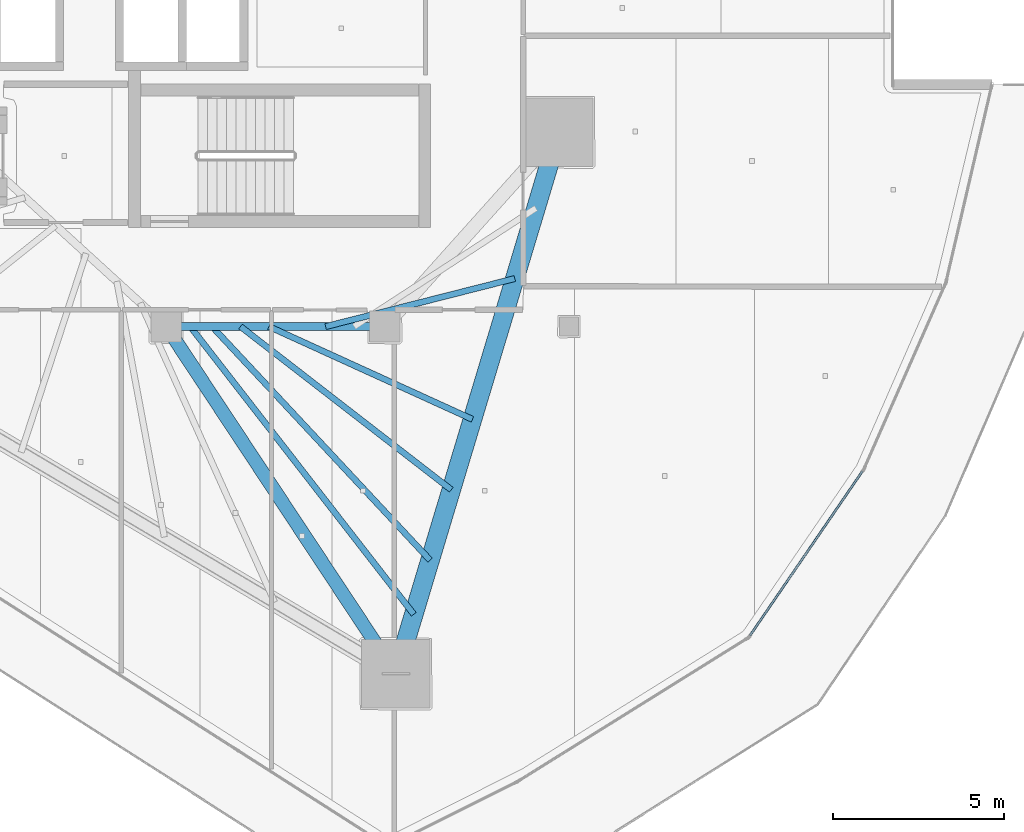
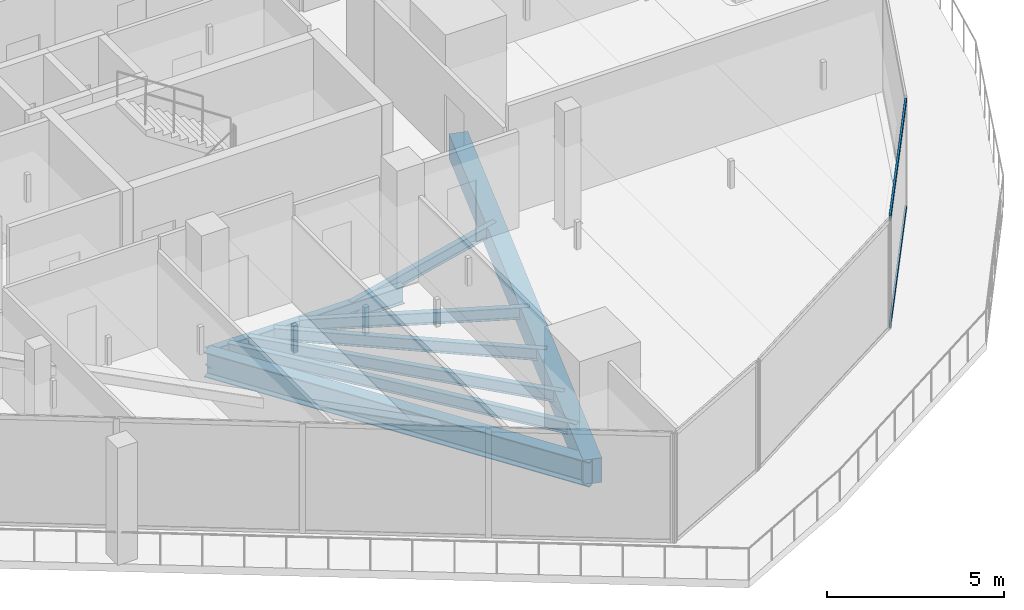
# One storey, part 12 of 43: 8 beams, 2 members, 1 element without a shape of its own.
"""IFC4 building model written with IfcOpenShell, lengths in metres."""

from ifc_helpers import new_model, si_unit, direction, frame, origin, origin_2d, place, context, subcontext, project, spatial, rectangle, hollow_rectangle, i_section, extrude, material, layer, layer_set, material_profile, profile_set, type_object, element, aggregate, save


model = new_model("IFC4")

# Units and contexts
model_context = context("Model", 3, precision=1e-05, world=origin(), true_north=direction((0.0, 1.0)))
body_context = subcontext(model_context, "Body", "Model", "MODEL_VIEW")
ifc_project = project(units=[si_unit("LENGTHUNIT", "METRE"), si_unit("AREAUNIT", "SQUARE_METRE"), si_unit("VOLUMEUNIT", "CUBIC_METRE"), si_unit("PLANEANGLEUNIT", "RADIAN"), si_unit("MASSUNIT", "GRAM", prefix="KILO")], contexts=[model_context])

# Site, building, storey
site_placement = place(None, origin())
site = spatial("IfcSite", under=ifc_project, at=site_placement, CompositionType="ELEMENT")
building_placement = place(site_placement, origin())
building = spatial("IfcBuilding", under=site, at=building_placement, Name="Qorvath Tower", CompositionType="ELEMENT")
storey_placement = place(building_placement, frame((0.0, 0.0, 213.14990234375)))
storey = spatial("IfcBuildingStorey", under=building, at=storey_placement, Name="L49", CompositionType="ELEMENT", Elevation=213.14990234375)

# Beams
ifc_material_1 = material(Name="Steel ASTM A992 Grade 50", Category="steel")
ifc_material_profile_1 = material_profile(ifc_material_1, i_section(OverallWidth=0.39892578125, OverallDepth=0.85498046875, WebThickness=0.018310546875, FlangeThickness=0.029296875, FilletRadius=0.02001953125, at=origin_2d()), Name="W33x201")
ifc_profile_set_1 = profile_set([ifc_material_profile_1], Name="Steel ASTM A992 Grade 50")
beam_type_1 = type_object("IfcBeamType", Name="BM-FG2", PredefinedType="BEAM", material=ifc_profile_set_1)
beam_1_placement = place(storey_placement, frame((-23.60009765625, -11.449951171875, -0.697509765625), z_axis=(0.551500517741, -0.834174549439, 0.0), x_axis=(0.834174549439, 0.551500517741, 0.0)))
element("IfcBeam", 1, at=beam_1_placement, inside=storey, type_object=beam_type_1, Name="Radial Floor Girder CC4-MC3 L49", PredefinedType="BEAM", context=body_context, shape_type="SweptSolid", body=[
    extrude(i_section(OverallWidth=0.39892578125, OverallDepth=0.85498046875, WebThickness=0.018310546875, FlangeThickness=0.029296875, FilletRadius=0.02001953125, at=origin_2d()), origin(), (0.0, 0.0, 1.0), 12.200439453125),
])
ifc_material_2 = material(Name="Steel ASTM A992 Grade 50", Category="steel")
ifc_material_profile_2 = material_profile(ifc_material_2, i_section(OverallWidth=0.22998046875, OverallDepth=0.616943359375, WebThickness=0.01318359375, FlangeThickness=0.022216796875, FilletRadius=0.014892578125, at=origin_2d()), Name="W24x94")
ifc_profile_set_2 = profile_set([ifc_material_profile_2], Name="Steel ASTM A992 Grade 50")
beam_type_2 = type_object("IfcBeamType", Name="BM-FG6", PredefinedType="BEAM", material=ifc_profile_set_2)
beam_2_placement = place(storey_placement, frame((-17.199951171875, -11.449951171875, -0.57861328125), z_axis=(-1.0, 0.0, 0.0), x_axis=(0.0, -1.0, 0.0)))
element("IfcBeam", 2, at=beam_2_placement, inside=storey, type_object=beam_type_2, Name="Core Ring Girder CC3-CC4 L49", PredefinedType="BEAM", context=body_context, shape_type="SweptSolid", body=[
    extrude(i_section(OverallWidth=0.22998046875, OverallDepth=0.616943359375, WebThickness=0.01318359375, FlangeThickness=0.022216796875, FilletRadius=0.014892578125, at=origin_2d()), origin(), (0.0, 0.0, 1.0), 6.400146484375),
])
ifc_material_3 = material(Name="Steel ASTM A992 Grade 50", Category="steel")
ifc_material_profile_3 = material_profile(ifc_material_3, i_section(OverallWidth=0.177978515625, OverallDepth=0.406005859375, WebThickness=0.0078125, FlangeThickness=0.0126953125, FilletRadius=0.010986328125, at=origin_2d()), Name="W16x40")
ifc_profile_set_3 = profile_set([ifc_material_profile_3], Name="Steel ASTM A992 Grade 50")
beam_type_3 = type_object("IfcBeamType", Name="BM-FJ3", PredefinedType="JOIST", material=ifc_profile_set_3)
beam_3_placement = place(storey_placement, frame((-18.927978515625, -11.449951171875, -0.472900390625), z_axis=(0.969231577698, 0.246150662794, 0.0), x_axis=(-0.246150662794, 0.969231577698, 0.0)))
element("IfcBeam", 3, at=beam_3_placement, inside=storey, type_object=beam_type_3, Name="Composite Floor Joist SE2 L49", PredefinedType="JOIST", context=body_context, shape_type="SweptSolid", body=[
    extrude(i_section(OverallWidth=0.177978515625, OverallDepth=0.406005859375, WebThickness=0.0078125, FlangeThickness=0.0126953125, FilletRadius=0.010986328125, at=origin_2d()), origin(), (0.0, 0.0, 1.0), 5.718017578125),
])
beam_4_placement = place(storey_placement, frame((-20.592041015625, -11.449951171875, -0.472900390625), z_axis=(0.909945081179, -0.414728765868, 0.0), x_axis=(0.414728765868, 0.909945081179, 0.0)))
element("IfcBeam", 4, at=beam_4_placement, inside=storey, type_object=beam_type_3, Name="Composite Floor Joist SE4 L49", PredefinedType="JOIST", context=body_context, shape_type="SweptSolid", body=[
    extrude(i_section(OverallWidth=0.177978515625, OverallDepth=0.406005859375, WebThickness=0.0078125, FlangeThickness=0.0126953125, FilletRadius=0.010986328125, at=origin_2d()), origin(), (0.0, 0.0, 1.0), 6.554931640625),
])
beam_5_placement = place(storey_placement, frame((-21.424072265625, -11.449951171875, -0.472900390625), z_axis=(0.790693445503, -0.612212279555, 0.0), x_axis=(0.612212279555, 0.790693445503, 0.0)))
element("IfcBeam", 5, at=beam_5_placement, inside=storey, type_object=beam_type_3, Name="Composite Floor Joist SE5 L49", PredefinedType="JOIST", context=body_context, shape_type="SweptSolid", body=[
    extrude(i_section(OverallWidth=0.177978515625, OverallDepth=0.406005859375, WebThickness=0.0078125, FlangeThickness=0.0126953125, FilletRadius=0.010986328125, at=origin_2d()), origin(), (0.0, 0.0, 1.0), 7.810546875),
])
beam_6_placement = place(storey_placement, frame((-22.256103515625, -11.449951171875, -0.472900390625), z_axis=(0.682249490937, -0.731119437654, 0.0), x_axis=(0.731119437654, 0.682249490937, 0.0)))
element("IfcBeam", 6, at=beam_6_placement, inside=storey, type_object=beam_type_3, Name="Composite Floor Joist SE6 L49", PredefinedType="JOIST", context=body_context, shape_type="SweptSolid", body=[
    extrude(i_section(OverallWidth=0.177978515625, OverallDepth=0.406005859375, WebThickness=0.0078125, FlangeThickness=0.0126953125, FilletRadius=0.010986328125, at=origin_2d()), origin(), (0.0, 0.0, 1.0), 9.362060546875),
])
beam_7_placement = place(storey_placement, frame((-22.89599609375, -11.449951171875, -0.472900390625), z_axis=(0.61345131907, -0.789732536452, 0.0), x_axis=(0.789732536452, 0.61345131907, 0.0)))
element("IfcBeam", 7, at=beam_7_placement, inside=storey, type_object=beam_type_3, Name="Composite Floor Joist SE7 L49", PredefinedType="JOIST", context=body_context, shape_type="SweptSolid", body=[
    extrude(i_section(OverallWidth=0.177978515625, OverallDepth=0.406005859375, WebThickness=0.0078125, FlangeThickness=0.0126953125, FilletRadius=0.010986328125, at=origin_2d()), origin(), (0.0, 0.0, 1.0), 10.676513671875),
])
ifc_material_4 = material(Name="Concrete C50/60", Category="concrete")
ifc_material_profile_4 = material_profile(ifc_material_4, rectangle(XDim=0.550048828125, YDim=0.85009765625, at=origin_2d()), Name="RCB 850x550")
ifc_profile_set_4 = profile_set([ifc_material_profile_4], Name="Concrete C50/60")
beam_type_4 = type_object("IfcBeamType", Name="BM-RCB2", PredefinedType="SPANDREL", material=ifc_profile_set_4)
beam_8_placement = place(storey_placement, frame((-16.87158203125, -21.627197265625, -0.695068359375), z_axis=(0.28812763802, 0.957592013443, 0.0), x_axis=(-0.957592013443, 0.28812763802, 0.0)))
element("IfcBeam", 8, at=beam_8_placement, inside=storey, type_object=beam_type_4, Name="Perimeter Loggia Frame Beam MC3-MC4 L49", PredefinedType="SPANDREL", context=body_context, shape_type="SweptSolid", body=[
    extrude(rectangle(XDim=0.550048828125, YDim=0.85009765625, at=origin_2d()), origin(), (0.0, 0.0, 1.0), 16.572265625),
])

# Curtain wall, members
ifc_material_5 = material(Name="Anodised aluminium and triple low-E glass", Category="aluminium")
ifc_layer = layer(ifc_material_5, 0.179931640625)
ifc_layer_set = layer_set([ifc_layer], Name="CW-SYS-3")
curtain_wall_type = type_object("IfcCurtainWallType", Name="CW-SYS-3", PredefinedType="NOTDEFINED", material=ifc_layer_set)
curtain_wall_placement = place(storey_placement, origin())
curtain_wall = element("IfcCurtainWall", 9, at=curtain_wall_placement, inside=storey, type_object=curtain_wall_type, Name="Curtain Wall CW-3 CW-T-L49-5.1", PredefinedType="NOTDEFINED")
ifc_material_6 = material(Name="Anodised aluminium 6063-T6", Category="aluminium")
ifc_material_profile_5 = material_profile(ifc_material_6, hollow_rectangle(XDim=0.06494140625, YDim=0.159912109375, WallThickness=0.00341796875, InnerFilletRadius=0.00341796875, OuterFilletRadius=0.007080078125, at=origin_2d()), Name="CWT 160x65")
ifc_profile_set_5 = profile_set([ifc_material_profile_5], Name="Anodised aluminium 6063-T6")
member_type = type_object("IfcMemberType", Name="CWT-160", PredefinedType="USERDEFINED", material=ifc_profile_set_5)
member_1_placement = place(storey_placement, frame((-6.493408203125, -20.502685546875, 0.032470703125), z_axis=(0.564688413816, 0.825304183499, 0.0), x_axis=(-0.825304183499, 0.564688413816, 0.0)))
member_1 = element("IfcMember", 10, at=member_1_placement, type_object=member_type, Name="CW-3 transom 1.1", ObjectType="TRANSOM", PredefinedType="USERDEFINED", context=body_context, shape_type="SweptSolid", body=[
    extrude(hollow_rectangle(XDim=0.06494140625, YDim=0.159912109375, WallThickness=0.00341796875, InnerFilletRadius=0.00341796875, OuterFilletRadius=0.007080078125, at=origin_2d()), origin(), (0.0, 0.0, 1.0), 5.837158203125),
])
member_2_placement = place(storey_placement, frame((-6.493408203125, -20.502685546875, 3.74755859375), z_axis=(0.564688413816, 0.825304183499, 0.0), x_axis=(-0.825304183499, 0.564688413816, 0.0)))
member_2 = element("IfcMember", 11, at=member_2_placement, type_object=member_type, Name="CW-3 transom 1.2", ObjectType="TRANSOM", PredefinedType="USERDEFINED", context=body_context, shape_type="SweptSolid", body=[
    extrude(hollow_rectangle(XDim=0.06494140625, YDim=0.159912109375, WallThickness=0.00341796875, InnerFilletRadius=0.00341796875, OuterFilletRadius=0.007080078125, at=origin_2d()), origin(), (0.0, 0.0, 1.0), 5.837158203125),
])
aggregate(curtain_wall, [member_1, member_2])

save(model, "model.ifc")
